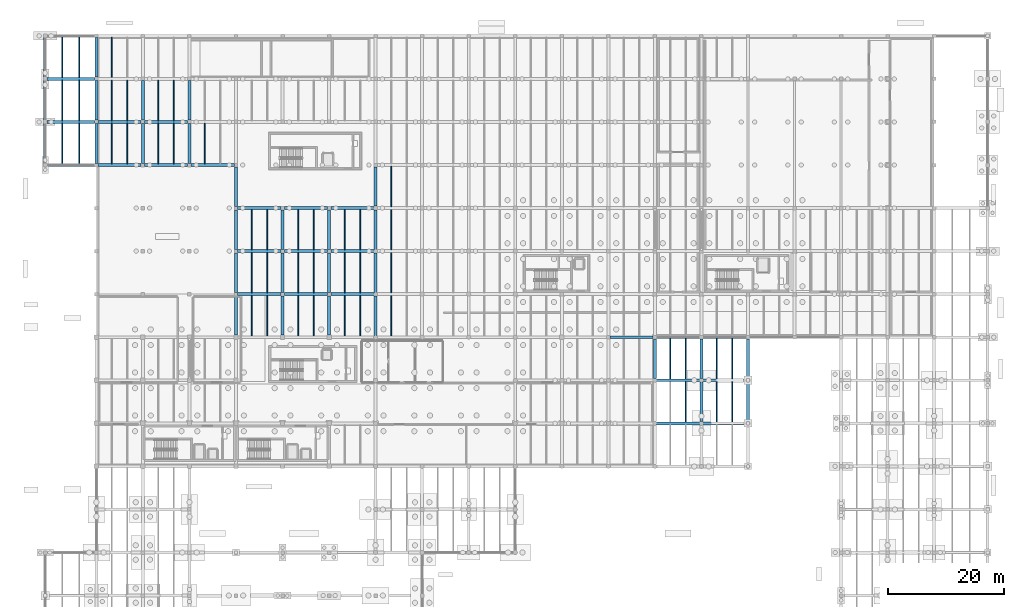
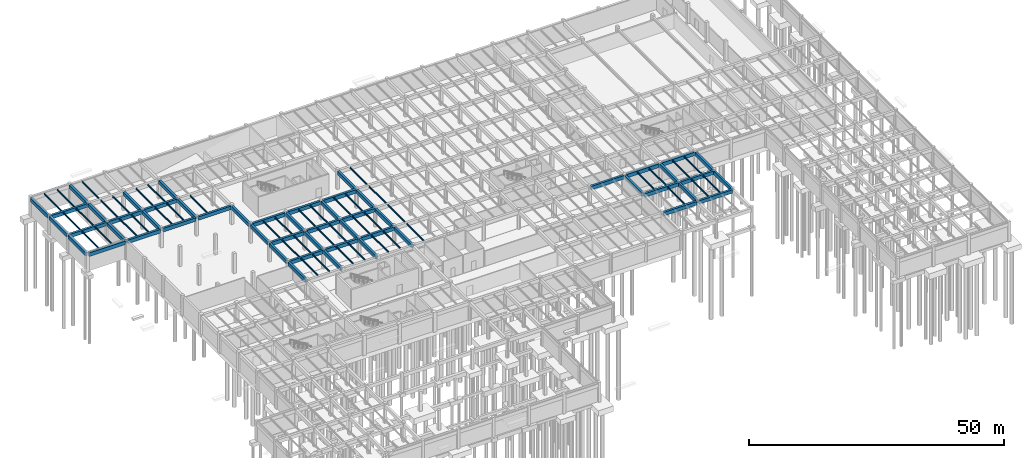
# One storey, part 11 of 40: 98 beams.
"""IFC4 building model written with IfcOpenShell, lengths in metres."""

from ifc_helpers import new_model, si_unit, direction, frame, origin, origin_2d, place, context, subcontext, project, spatial, rectangle, i_section, extrude, material, material_profile, profile_set, type_object, element, save


model = new_model("IFC4")

# Units and contexts
model_context = context("Model", 3, precision=1e-05, world=origin(), true_north=direction((0.0, 1.0)))
body_context = subcontext(model_context, "Body", "Model", "MODEL_VIEW")
ifc_project = project(units=[si_unit("LENGTHUNIT", "METRE"), si_unit("AREAUNIT", "SQUARE_METRE"), si_unit("VOLUMEUNIT", "CUBIC_METRE"), si_unit("PLANEANGLEUNIT", "RADIAN"), si_unit("MASSUNIT", "GRAM", prefix="KILO")], contexts=[model_context])

# Site, building, storey
site_placement = place(None, origin())
site = spatial("IfcSite", under=ifc_project, at=site_placement, CompositionType="ELEMENT")
building_placement = place(site_placement, origin())
building = spatial("IfcBuilding", under=site, at=building_placement, Name="Valkorina Park Police Headquarters", CompositionType="ELEMENT")
storey_placement = place(building_placement, frame((0.0, 0.0, -4.800048828125)))
storey = spatial("IfcBuildingStorey", under=building, at=storey_placement, Name="B01", CompositionType="ELEMENT", Elevation=-4.800048828125)

# Beams
ifc_material_1 = material(Name="Concrete C40/50", Category="concrete")
ifc_material_profile_1 = material_profile(ifc_material_1, rectangle(XDim=0.5, YDim=0.85009765625, at=origin_2d()), Name="RC BEAM 500x850")
ifc_profile_set_1 = profile_set([ifc_material_profile_1], Name="Concrete C40/50")
beam_type_1 = type_object("IfcBeamType", Name="BM-RC-500x850-EXT", PredefinedType="SPANDREL", material=ifc_profile_set_1)
beam_1_placement = place(storey_placement, frame((0.300048828125, 88.800048828125, 4.025146484375), z_axis=(1.0, 0.0, 0.0), x_axis=(0.0, 1.0, 0.0)))
element("IfcBeam", 1, at=beam_1_placement, inside=storey, type_object=beam_type_1, Name="B01 Framing Beam 0151", PredefinedType="SPANDREL", context=body_context, shape_type="SweptSolid", body=[
    extrude(rectangle(XDim=0.5, YDim=0.85009765625, at=origin_2d()), origin(), (0.0, 0.0, 1.0), 8.199951171875),
])
for number, where, z_axis, x_axis, name in (
    (2, (9.10009765625, 88.800048828125, 4.025146484375), (1.0, 0.0, 0.0), (0.0, 1.0, 0.0), "B01 Framing Beam 0152"),
    (3, (17.10009765625, 88.800048828125, 4.025146484375), (1.0, 0.0, 0.0), (0.0, 1.0, 0.0), "B01 Framing Beam 0153"),
    (4, (25.10009765625, 88.800048828125, 4.025146484375), (1.0, 0.0, 0.0), (0.0, 1.0, 0.0), "B01 Framing Beam 0154"),
):
    element("IfcBeam", number, at=place(storey_placement, frame(where, z_axis=z_axis, x_axis=x_axis)), inside=storey, type_object=beam_type_1, Name=name, PredefinedType="SPANDREL", context=body_context, shape_type="SweptSolid", body=[
        extrude(rectangle(XDim=0.5, YDim=0.85009765625, at=origin_2d()), origin(), (0.0, 0.0, 1.0), 7.39990234375),
    ])
beam_2_placement = place(storey_placement, frame((0.0, 89.10009765625, 4.025146484375), z_axis=(0.0, 1.0, 0.0), x_axis=(-1.0, 0.0, 0.0)))
element("IfcBeam", 5, at=beam_2_placement, inside=storey, type_object=beam_type_1, Name="B01 Framing Beam 0220", PredefinedType="SPANDREL", context=body_context, shape_type="SweptSolid", body=[
    extrude(rectangle(XDim=0.5, YDim=0.85009765625, at=origin_2d()), origin(), (0.0, 0.0, 1.0), 6.7998046875),
])
for number, where, z_axis, x_axis, name in (
    (6, (0.0, 96.5, 4.025146484375), (0.0, 1.0, 0.0), (-1.0, 0.0, 0.0), "B01 Framing Beam 0223"),
    (7, (0.0, 103.89990234375, 4.025146484375), (0.0, 1.0, 0.0), (-1.0, 0.0, 0.0), "B01 Framing Beam 0226"),
):
    element("IfcBeam", number, at=place(storey_placement, frame(where, z_axis=z_axis, x_axis=x_axis)), inside=storey, type_object=beam_type_1, Name=name, PredefinedType="SPANDREL", context=body_context, shape_type="SweptSolid", body=[
        extrude(rectangle(XDim=0.5, YDim=0.85009765625, at=origin_2d()), origin(), (0.0, 0.0, 1.0), 6.800048828125),
    ])
beam_3_placement = place(storey_placement, frame((32.800048828125, 59.574951171875, 4.074951171875), z_axis=(0.0, 1.0, 0.0), x_axis=(-1.0, 0.0, 0.0)))
element("IfcBeam", 8, at=beam_3_placement, inside=storey, type_object=beam_type_1, Name="B01 Framing Beam 0314", PredefinedType="SPANDREL", context=body_context, shape_type="SweptSolid", body=[
    extrude(rectangle(XDim=0.5, YDim=0.85009765625, at=origin_2d()), origin(), (0.0, 0.0, 1.0), 6.72509765625),
])
for number, where, z_axis, x_axis, name in (
    (9, (32.800048828125, 66.89990234375, 4.074951171875), (0.0, 1.0, 0.0), (-1.0, 0.0, 0.0), "B01 Framing Beam 0317"),
    (10, (32.800048828125, 74.300048828125, 4.074951171875), (0.0, 1.0, 0.0), (-1.0, 0.0, 0.0), "B01 Framing Beam 0320"),
    (11, (32.800048828125, 81.699951171875, 4.025146484375), (0.0, 1.0, 0.0), (-1.0, 0.0, 0.0), "B01 Framing Beam 0323"),
):
    element("IfcBeam", number, at=place(storey_placement, frame(where, z_axis=z_axis, x_axis=x_axis)), inside=storey, type_object=beam_type_1, Name=name, PredefinedType="SPANDREL", context=body_context, shape_type="SweptSolid", body=[
        extrude(rectangle(XDim=0.5, YDim=0.85009765625, at=origin_2d()), origin(), (0.0, 0.0, 1.0), 6.800048828125),
    ])
beam_4_placement = place(storey_placement, frame((120.800048828125, 44.71630859375, 4.025146484375), z_axis=(0.0, 1.0, 0.0), x_axis=(-1.0, 0.0, 0.0)))
element("IfcBeam", 12, at=beam_4_placement, inside=storey, type_object=beam_type_1, Name="B01 Framing Beam 0582", PredefinedType="SPANDREL", context=body_context, shape_type="SweptSolid", body=[
    extrude(rectangle(XDim=0.5, YDim=0.85009765625, at=origin_2d()), origin(), (0.0, 0.0, 1.0), 6.767578125),
])
beam_5_placement = place(storey_placement, frame((120.800048828125, 52.1162109375, 4.074951171875), z_axis=(0.0, 1.0, 0.0), x_axis=(-1.0, 0.0, 0.0)))
element("IfcBeam", 13, at=beam_5_placement, inside=storey, type_object=beam_type_1, Name="B01 Framing Beam 0583", PredefinedType="SPANDREL", context=body_context, shape_type="SweptSolid", body=[
    extrude(rectangle(XDim=0.5, YDim=0.85009765625, at=origin_2d()), origin(), (0.0, 0.0, 1.0), 6.78369140625),
])
ifc_material_profile_2 = material_profile(ifc_material_1, rectangle(XDim=0.5, YDim=0.85009765625, at=origin_2d()), Name="RC BEAM 500x850")
ifc_profile_set_2 = profile_set([ifc_material_profile_2], Name="Concrete C40/50")
beam_type_2 = type_object("IfcBeamType", Name="BM-RC-500x850-INT", PredefinedType="BEAM", material=ifc_profile_set_2)
for number, where, z_axis, x_axis, name in (
    (14, (105.044921875, 44.39990234375, 4.025146484375), (1.0, 0.0, 0.0), (0.0, 1.0, 0.0), "B01 Framing Beam 0068"),
    (15, (113.044921875, 44.39990234375, 4.025146484375), (1.0, 0.0, 0.0), (0.0, 1.0, 0.0), "B01 Framing Beam 0069"),
    (16, (105.044921875, 51.800048828125, 4.025146484375), (1.0, 0.0, 0.0), (0.0, 1.0, 0.0), "B01 Framing Beam 0079"),
    (17, (113.044921875, 51.800048828125, 4.025146484375), (1.0, 0.0, 0.0), (0.0, 1.0, 0.0), "B01 Framing Beam 0080"),
):
    element("IfcBeam", number, at=place(storey_placement, frame(where, z_axis=z_axis, x_axis=x_axis)), inside=storey, type_object=beam_type_2, Name=name, PredefinedType="BEAM", context=body_context, shape_type="SweptSolid", body=[
        extrude(rectangle(XDim=0.5, YDim=0.85009765625, at=origin_2d()), origin(), (0.0, 0.0, 1.0), 7.51025390625),
    ])
for number, where, z_axis, x_axis, name in (
    (18, (97.10009765625, 59.199951171875, 4.074951171875), (1.0, 0.0, 0.0), (0.0, 1.0, 0.0), "B01 Framing Beam 0095"),
    (19, (105.10009765625, 59.199951171875, 4.074951171875), (1.0, 0.0, 0.0), (0.0, 1.0, 0.0), "B01 Framing Beam 0096"),
    (20, (113.10009765625, 59.199951171875, 4.074951171875), (1.0, 0.0, 0.0), (0.0, 1.0, 0.0), "B01 Framing Beam 0097"),
    (21, (33.10009765625, 66.60009765625, 4.074951171875), (1.0, 0.0, 0.0), (0.0, 1.0, 0.0), "B01 Framing Beam 0103"),
    (22, (41.10009765625, 66.60009765625, 4.074951171875), (1.0, 0.0, 0.0), (0.0, 1.0, 0.0), "B01 Framing Beam 0104"),
):
    element("IfcBeam", number, at=place(storey_placement, frame(where, z_axis=z_axis, x_axis=x_axis)), inside=storey, type_object=beam_type_2, Name=name, PredefinedType="BEAM", context=body_context, shape_type="SweptSolid", body=[
        extrude(rectangle(XDim=0.5, YDim=0.85009765625, at=origin_2d()), origin(), (0.0, 0.0, 1.0), 7.39990234375),
    ])
beam_6_placement = place(storey_placement, frame((49.10009765625, 66.60009765625, 4.025146484375), z_axis=(1.0, 0.0, 0.0), x_axis=(0.0, 1.0, 0.0)))
element("IfcBeam", 23, at=beam_6_placement, inside=storey, type_object=beam_type_2, Name="B01 Framing Beam 0105", PredefinedType="BEAM", context=body_context, shape_type="SweptSolid", body=[
    extrude(rectangle(XDim=0.5, YDim=0.85009765625, at=origin_2d()), origin(), (0.0, 0.0, 1.0), 7.455078125),
])
for number, where, z_axis, x_axis, name in (
    (24, (33.10009765625, 74.0, 4.074951171875), (1.0, 0.0, 0.0), (0.0, 1.0, 0.0), "B01 Framing Beam 0119"),
    (25, (41.10009765625, 74.0, 4.074951171875), (1.0, 0.0, 0.0), (0.0, 1.0, 0.0), "B01 Framing Beam 0120"),
):
    element("IfcBeam", number, at=place(storey_placement, frame(where, z_axis=z_axis, x_axis=x_axis)), inside=storey, type_object=beam_type_2, Name=name, PredefinedType="BEAM", context=body_context, shape_type="SweptSolid", body=[
        extrude(rectangle(XDim=0.5, YDim=0.85009765625, at=origin_2d()), origin(), (0.0, 0.0, 1.0), 7.39990234375),
    ])
beam_7_placement = place(storey_placement, frame((49.10009765625, 74.0, 4.025146484375), z_axis=(1.0, 0.0, 0.0), x_axis=(0.0, 1.0, 0.0)))
element("IfcBeam", 26, at=beam_7_placement, inside=storey, type_object=beam_type_2, Name="B01 Framing Beam 0121", PredefinedType="BEAM", context=body_context, shape_type="SweptSolid", body=[
    extrude(rectangle(XDim=0.5, YDim=0.85009765625, at=origin_2d()), origin(), (0.0, 0.0, 1.0), 7.455078125),
])
for number, where, z_axis, x_axis, name in (
    (27, (33.10009765625, 81.39990234375, 4.074951171875), (1.0, 0.0, 0.0), (0.0, 1.0, 0.0), "B01 Framing Beam 0135"),
    (28, (41.10009765625, 81.39990234375, 4.074951171875), (1.0, 0.0, 0.0), (0.0, 1.0, 0.0), "B01 Framing Beam 0136"),
):
    element("IfcBeam", number, at=place(storey_placement, frame(where, z_axis=z_axis, x_axis=x_axis)), inside=storey, type_object=beam_type_2, Name=name, PredefinedType="BEAM", context=body_context, shape_type="SweptSolid", body=[
        extrude(rectangle(XDim=0.5, YDim=0.85009765625, at=origin_2d()), origin(), (0.0, 0.0, 1.0), 7.39990234375),
    ])
beam_8_placement = place(storey_placement, frame((49.10009765625, 81.39990234375, 4.025146484375), z_axis=(1.0, 0.0, 0.0), x_axis=(0.0, 1.0, 0.0)))
element("IfcBeam", 29, at=beam_8_placement, inside=storey, type_object=beam_type_2, Name="B01 Framing Beam 0137", PredefinedType="BEAM", context=body_context, shape_type="SweptSolid", body=[
    extrude(rectangle(XDim=0.5, YDim=0.85009765625, at=origin_2d()), origin(), (0.0, 0.0, 1.0), 7.455078125),
])
beam_9_placement = place(storey_placement, frame((0.300048828125, 96.199951171875, 4.025146484375), z_axis=(1.0, 0.0, 0.0), x_axis=(0.0, 1.0, 0.0)))
element("IfcBeam", 30, at=beam_9_placement, inside=storey, type_object=beam_type_2, Name="B01 Framing Beam 0162", PredefinedType="BEAM", context=body_context, shape_type="SweptSolid", body=[
    extrude(rectangle(XDim=0.5, YDim=0.85009765625, at=origin_2d()), origin(), (0.0, 0.0, 1.0), 8.199951171875),
])
for number, where, z_axis, x_axis, name in (
    (31, (9.10009765625, 96.199951171875, 4.025146484375), (1.0, 0.0, 0.0), (0.0, 1.0, 0.0), "B01 Framing Beam 0163"),
    (32, (17.10009765625, 96.199951171875, 4.025146484375), (1.0, 0.0, 0.0), (0.0, 1.0, 0.0), "B01 Framing Beam 0164"),
):
    element("IfcBeam", number, at=place(storey_placement, frame(where, z_axis=z_axis, x_axis=x_axis)), inside=storey, type_object=beam_type_2, Name=name, PredefinedType="BEAM", context=body_context, shape_type="SweptSolid", body=[
        extrude(rectangle(XDim=0.5, YDim=0.85009765625, at=origin_2d()), origin(), (0.0, 0.0, 1.0), 7.39990234375),
    ])
beam_10_placement = place(storey_placement, frame((0.300048828125, 103.60009765625, 4.025146484375), z_axis=(1.0, 0.0, 0.0), x_axis=(0.0, 1.0, 0.0)))
element("IfcBeam", 33, at=beam_10_placement, inside=storey, type_object=beam_type_2, Name="B01 Framing Beam 0176", PredefinedType="BEAM", context=body_context, shape_type="SweptSolid", body=[
    extrude(rectangle(XDim=0.5, YDim=0.85009765625, at=origin_2d()), origin(), (0.0, 0.0, 1.0), 8.199951171875),
])
beam_11_placement = place(storey_placement, frame((8.800048828125, 89.10009765625, 4.025146484375), z_axis=(0.0, 1.0, 0.0), x_axis=(-1.0, 0.0, 0.0)))
element("IfcBeam", 34, at=beam_11_placement, inside=storey, type_object=beam_type_2, Name="B01 Framing Beam 0253", PredefinedType="BEAM", context=body_context, shape_type="SweptSolid", body=[
    extrude(rectangle(XDim=0.5, YDim=0.85009765625, at=origin_2d()), origin(), (0.0, 0.0, 1.0), 6.7998046875),
])
for number, where, z_axis, x_axis, name in (
    (35, (8.800048828125, 96.5, 4.025146484375), (0.0, 1.0, 0.0), (-1.0, 0.0, 0.0), "B01 Framing Beam 0256"),
    (36, (8.800048828125, 103.89990234375, 4.025146484375), (0.0, 1.0, 0.0), (-1.0, 0.0, 0.0), "B01 Framing Beam 0259"),
):
    element("IfcBeam", number, at=place(storey_placement, frame(where, z_axis=z_axis, x_axis=x_axis)), inside=storey, type_object=beam_type_2, Name=name, PredefinedType="BEAM", context=body_context, shape_type="SweptSolid", body=[
        extrude(rectangle(XDim=0.5, YDim=0.85009765625, at=origin_2d()), origin(), (0.0, 0.0, 1.0), 6.800048828125),
    ])
beam_12_placement = place(storey_placement, frame((16.800048828125, 89.10009765625, 4.025146484375), z_axis=(0.0, 1.0, 0.0), x_axis=(-1.0, 0.0, 0.0)))
element("IfcBeam", 37, at=beam_12_placement, inside=storey, type_object=beam_type_2, Name="B01 Framing Beam 0284", PredefinedType="BEAM", context=body_context, shape_type="SweptSolid", body=[
    extrude(rectangle(XDim=0.5, YDim=0.85009765625, at=origin_2d()), origin(), (0.0, 0.0, 1.0), 6.7998046875),
])
beam_13_placement = place(storey_placement, frame((16.800048828125, 96.5, 4.025146484375), z_axis=(0.0, 1.0, 0.0), x_axis=(-1.0, 0.0, 0.0)))
element("IfcBeam", 38, at=beam_13_placement, inside=storey, type_object=beam_type_2, Name="B01 Framing Beam 0287", PredefinedType="BEAM", context=body_context, shape_type="SweptSolid", body=[
    extrude(rectangle(XDim=0.5, YDim=0.85009765625, at=origin_2d()), origin(), (0.0, 0.0, 1.0), 6.800048828125),
])
beam_14_placement = place(storey_placement, frame((24.800048828125, 89.10009765625, 4.025146484375), z_axis=(0.0, 1.0, 0.0), x_axis=(-1.0, 0.0, 0.0)))
element("IfcBeam", 39, at=beam_14_placement, inside=storey, type_object=beam_type_2, Name="B01 Framing Beam 0304", PredefinedType="BEAM", context=body_context, shape_type="SweptSolid", body=[
    extrude(rectangle(XDim=0.5, YDim=0.85009765625, at=origin_2d()), origin(), (0.0, 0.0, 1.0), 6.7998046875),
])
beam_15_placement = place(storey_placement, frame((24.800048828125, 96.5, 4.025146484375), z_axis=(0.0, 1.0, 0.0), x_axis=(-1.0, 0.0, 0.0)))
element("IfcBeam", 40, at=beam_15_placement, inside=storey, type_object=beam_type_2, Name="B01 Framing Beam 0307", PredefinedType="BEAM", context=body_context, shape_type="SweptSolid", body=[
    extrude(rectangle(XDim=0.5, YDim=0.85009765625, at=origin_2d()), origin(), (0.0, 0.0, 1.0), 6.800048828125),
])
beam_16_placement = place(storey_placement, frame((40.800048828125, 59.574951171875, 4.074951171875), z_axis=(0.0, 1.0, 0.0), x_axis=(-1.0, 0.0, 0.0)))
element("IfcBeam", 41, at=beam_16_placement, inside=storey, type_object=beam_type_2, Name="B01 Framing Beam 0328", PredefinedType="BEAM", context=body_context, shape_type="SweptSolid", body=[
    extrude(rectangle(XDim=0.5, YDim=0.85009765625, at=origin_2d()), origin(), (0.0, 0.0, 1.0), 6.72509765625),
])
for number, where, z_axis, x_axis, name in (
    (42, (40.800048828125, 66.89990234375, 4.074951171875), (0.0, 1.0, 0.0), (-1.0, 0.0, 0.0), "B01 Framing Beam 0331"),
    (43, (40.800048828125, 74.300048828125, 4.074951171875), (0.0, 1.0, 0.0), (-1.0, 0.0, 0.0), "B01 Framing Beam 0334"),
):
    element("IfcBeam", number, at=place(storey_placement, frame(where, z_axis=z_axis, x_axis=x_axis)), inside=storey, type_object=beam_type_2, Name=name, PredefinedType="BEAM", context=body_context, shape_type="SweptSolid", body=[
        extrude(rectangle(XDim=0.5, YDim=0.85009765625, at=origin_2d()), origin(), (0.0, 0.0, 1.0), 6.800048828125),
    ])
beam_17_placement = place(storey_placement, frame((48.800048828125, 59.574951171875, 4.074951171875), z_axis=(0.0, 1.0, 0.0), x_axis=(-1.0, 0.0, 0.0)))
element("IfcBeam", 44, at=beam_17_placement, inside=storey, type_object=beam_type_2, Name="B01 Framing Beam 0343", PredefinedType="BEAM", context=body_context, shape_type="SweptSolid", body=[
    extrude(rectangle(XDim=0.5, YDim=0.85009765625, at=origin_2d()), origin(), (0.0, 0.0, 1.0), 6.72509765625),
])
for number, where, z_axis, x_axis, name in (
    (45, (48.800048828125, 66.89990234375, 4.074951171875), (0.0, 1.0, 0.0), (-1.0, 0.0, 0.0), "B01 Framing Beam 0346"),
    (46, (48.800048828125, 74.300048828125, 4.074951171875), (0.0, 1.0, 0.0), (-1.0, 0.0, 0.0), "B01 Framing Beam 0349"),
):
    element("IfcBeam", number, at=place(storey_placement, frame(where, z_axis=z_axis, x_axis=x_axis)), inside=storey, type_object=beam_type_2, Name=name, PredefinedType="BEAM", context=body_context, shape_type="SweptSolid", body=[
        extrude(rectangle(XDim=0.5, YDim=0.85009765625, at=origin_2d()), origin(), (0.0, 0.0, 1.0), 6.800048828125),
    ])
for number, where, z_axis, x_axis, name in (
    (47, (56.800048828125, 59.51611328125, 4.025146484375), (0.0, 1.0, 0.0), (-1.0, 0.0, 0.0), "B01 Framing Beam 0364"),
    (48, (56.800048828125, 66.916259765625, 4.025146484375), (0.0, 1.0, 0.0), (-1.0, 0.0, 0.0), "B01 Framing Beam 0367"),
    (49, (56.800048828125, 74.316162109375, 4.025146484375), (0.0, 1.0, 0.0), (-1.0, 0.0, 0.0), "B01 Framing Beam 0370"),
):
    element("IfcBeam", number, at=place(storey_placement, frame(where, z_axis=z_axis, x_axis=x_axis)), inside=storey, type_object=beam_type_2, Name=name, PredefinedType="BEAM", context=body_context, shape_type="SweptSolid", body=[
        extrude(rectangle(XDim=0.5, YDim=0.85009765625, at=origin_2d()), origin(), (0.0, 0.0, 1.0), 6.767578125),
    ])
for number, where, z_axis, x_axis, name in (
    (50, (56.800048828125, 81.71630859375, 4.025146484375), (0.0, 1.0, 0.0), (-1.0, 0.0, 0.0), "B01 Framing Beam 0373"),
    (51, (104.800048828125, 52.1162109375, 4.074951171875), (0.0, 1.0, 0.0), (-1.0, 0.0, 0.0), "B01 Framing Beam 0535"),
):
    element("IfcBeam", number, at=place(storey_placement, frame(where, z_axis=z_axis, x_axis=x_axis)), inside=storey, type_object=beam_type_2, Name=name, PredefinedType="BEAM", context=body_context, shape_type="SweptSolid", body=[
        extrude(rectangle(XDim=0.5, YDim=0.85009765625, at=origin_2d()), origin(), (0.0, 0.0, 1.0), 6.78369140625),
    ])
beam_18_placement = place(storey_placement, frame((112.800048828125, 44.71630859375, 4.025146484375), z_axis=(0.0, 1.0, 0.0), x_axis=(-1.0, 0.0, 0.0)))
element("IfcBeam", 52, at=beam_18_placement, inside=storey, type_object=beam_type_2, Name="B01 Framing Beam 0562", PredefinedType="BEAM", context=body_context, shape_type="SweptSolid", body=[
    extrude(rectangle(XDim=0.5, YDim=0.85009765625, at=origin_2d()), origin(), (0.0, 0.0, 1.0), 6.767578125),
])
beam_19_placement = place(storey_placement, frame((112.800048828125, 52.1162109375, 4.074951171875), z_axis=(0.0, 1.0, 0.0), x_axis=(-1.0, 0.0, 0.0)))
element("IfcBeam", 53, at=beam_19_placement, inside=storey, type_object=beam_type_2, Name="B01 Framing Beam 0565", PredefinedType="BEAM", context=body_context, shape_type="SweptSolid", body=[
    extrude(rectangle(XDim=0.5, YDim=0.85009765625, at=origin_2d()), origin(), (0.0, 0.0, 1.0), 6.78369140625),
])
ifc_material_2 = material(Name="Steel S355", Category="steel")
ifc_material_profile_3 = material_profile(ifc_material_2, i_section(OverallWidth=0.169921875, OverallDepth=0.360107421875, WebThickness=0.008056640625, FlangeThickness=0.0126953125, FilletRadius=0.01806640625, at=origin_2d()), Name="IPE 360")
ifc_profile_set_3 = profile_set([ifc_material_profile_3], Name="Steel S355")
beam_type_3 = type_object("IfcBeamType", Name="BM-S355-IPE360-JST", PredefinedType="JOIST", material=ifc_profile_set_3)
for number, where, z_axis, x_axis, name in (
    (54, (2.933349609375, 89.050048828125, 4.27001953125), (0.0, 1.0, 0.0), (-1.0, 0.0, 0.0), "B01 Framing Beam 0221"),
    (55, (5.86669921875, 89.050048828125, 4.27001953125), (0.0, 1.0, 0.0), (-1.0, 0.0, 0.0), "B01 Framing Beam 0222"),
):
    element("IfcBeam", number, at=place(storey_placement, frame(where, z_axis=z_axis, x_axis=x_axis)), inside=storey, type_object=beam_type_3, Name=name, PredefinedType="JOIST", context=body_context, shape_type="SweptSolid", body=[
        extrude(i_section(OverallWidth=0.169921875, OverallDepth=0.360107421875, WebThickness=0.008056640625, FlangeThickness=0.0126953125, FilletRadius=0.01806640625, at=origin_2d()), origin(), (0.0, 0.0, 1.0), 6.89990234375),
    ])
for number, where, z_axis, x_axis, name in (
    (56, (2.933349609375, 96.449951171875, 4.27001953125), (0.0, 1.0, 0.0), (-1.0, 0.0, 0.0), "B01 Framing Beam 0224"),
    (57, (5.86669921875, 96.449951171875, 4.27001953125), (0.0, 1.0, 0.0), (-1.0, 0.0, 0.0), "B01 Framing Beam 0225"),
):
    element("IfcBeam", number, at=place(storey_placement, frame(where, z_axis=z_axis, x_axis=x_axis)), inside=storey, type_object=beam_type_3, Name=name, PredefinedType="JOIST", context=body_context, shape_type="SweptSolid", body=[
        extrude(i_section(OverallWidth=0.169921875, OverallDepth=0.360107421875, WebThickness=0.008056640625, FlangeThickness=0.0126953125, FilletRadius=0.01806640625, at=origin_2d()), origin(), (0.0, 0.0, 1.0), 6.900146484375),
    ])
for number, where, z_axis, x_axis, name in (
    (58, (2.933349609375, 103.85009765625, 4.27001953125), (0.0, 1.0, 0.0), (-1.0, 0.0, 0.0), "B01 Framing Beam 0227"),
    (59, (5.86669921875, 103.85009765625, 4.27001953125), (0.0, 1.0, 0.0), (-1.0, 0.0, 0.0), "B01 Framing Beam 0228"),
    (60, (11.466796875, 89.050048828125, 4.27001953125), (0.0, 1.0, 0.0), (-1.0, 0.0, 0.0), "B01 Framing Beam 0254"),
    (61, (14.13330078125, 89.050048828125, 4.27001953125), (0.0, 1.0, 0.0), (-1.0, 0.0, 0.0), "B01 Framing Beam 0255"),
):
    element("IfcBeam", number, at=place(storey_placement, frame(where, z_axis=z_axis, x_axis=x_axis)), inside=storey, type_object=beam_type_3, Name=name, PredefinedType="JOIST", context=body_context, shape_type="SweptSolid", body=[
        extrude(i_section(OverallWidth=0.169921875, OverallDepth=0.360107421875, WebThickness=0.008056640625, FlangeThickness=0.0126953125, FilletRadius=0.01806640625, at=origin_2d()), origin(), (0.0, 0.0, 1.0), 6.89990234375),
    ])
for number, where, z_axis, x_axis, name in (
    (62, (11.466796875, 96.449951171875, 4.27001953125), (0.0, 1.0, 0.0), (-1.0, 0.0, 0.0), "B01 Framing Beam 0257"),
    (63, (14.13330078125, 96.449951171875, 4.27001953125), (0.0, 1.0, 0.0), (-1.0, 0.0, 0.0), "B01 Framing Beam 0258"),
):
    element("IfcBeam", number, at=place(storey_placement, frame(where, z_axis=z_axis, x_axis=x_axis)), inside=storey, type_object=beam_type_3, Name=name, PredefinedType="JOIST", context=body_context, shape_type="SweptSolid", body=[
        extrude(i_section(OverallWidth=0.169921875, OverallDepth=0.360107421875, WebThickness=0.008056640625, FlangeThickness=0.0126953125, FilletRadius=0.01806640625, at=origin_2d()), origin(), (0.0, 0.0, 1.0), 6.900146484375),
    ])
for number, where, z_axis, x_axis, name in (
    (64, (11.466796875, 103.85009765625, 4.27001953125), (0.0, 1.0, 0.0), (-1.0, 0.0, 0.0), "B01 Framing Beam 0260"),
    (65, (19.466796875, 89.050048828125, 4.27001953125), (0.0, 1.0, 0.0), (-1.0, 0.0, 0.0), "B01 Framing Beam 0285"),
    (66, (22.13330078125, 89.050048828125, 4.27001953125), (0.0, 1.0, 0.0), (-1.0, 0.0, 0.0), "B01 Framing Beam 0286"),
):
    element("IfcBeam", number, at=place(storey_placement, frame(where, z_axis=z_axis, x_axis=x_axis)), inside=storey, type_object=beam_type_3, Name=name, PredefinedType="JOIST", context=body_context, shape_type="SweptSolid", body=[
        extrude(i_section(OverallWidth=0.169921875, OverallDepth=0.360107421875, WebThickness=0.008056640625, FlangeThickness=0.0126953125, FilletRadius=0.01806640625, at=origin_2d()), origin(), (0.0, 0.0, 1.0), 6.89990234375),
    ])
for number, where, z_axis, x_axis, name in (
    (67, (19.466796875, 96.449951171875, 4.27001953125), (0.0, 1.0, 0.0), (-1.0, 0.0, 0.0), "B01 Framing Beam 0288"),
    (68, (22.13330078125, 96.449951171875, 4.27001953125), (0.0, 1.0, 0.0), (-1.0, 0.0, 0.0), "B01 Framing Beam 0289"),
):
    element("IfcBeam", number, at=place(storey_placement, frame(where, z_axis=z_axis, x_axis=x_axis)), inside=storey, type_object=beam_type_3, Name=name, PredefinedType="JOIST", context=body_context, shape_type="SweptSolid", body=[
        extrude(i_section(OverallWidth=0.169921875, OverallDepth=0.360107421875, WebThickness=0.008056640625, FlangeThickness=0.0126953125, FilletRadius=0.01806640625, at=origin_2d()), origin(), (0.0, 0.0, 1.0), 6.900146484375),
    ])
beam_20_placement = place(storey_placement, frame((27.466796875, 89.050048828125, 4.27001953125), z_axis=(0.0, 1.0, 0.0), x_axis=(-1.0, 0.0, 0.0)))
element("IfcBeam", 69, at=beam_20_placement, inside=storey, type_object=beam_type_3, Name="B01 Framing Beam 0305", PredefinedType="JOIST", context=body_context, shape_type="SweptSolid", body=[
    extrude(i_section(OverallWidth=0.169921875, OverallDepth=0.360107421875, WebThickness=0.008056640625, FlangeThickness=0.0126953125, FilletRadius=0.01806640625, at=origin_2d()), origin(), (0.0, 0.0, 1.0), 6.89990234375),
])
for number, where, z_axis, x_axis, name in (
    (70, (35.466796875, 59.449951171875, 4.320068359375), (0.0, 1.0, 0.0), (-1.0, 0.0, 0.0), "B01 Framing Beam 0315"),
    (71, (38.13330078125, 59.449951171875, 4.320068359375), (0.0, 1.0, 0.0), (-1.0, 0.0, 0.0), "B01 Framing Beam 0316"),
):
    element("IfcBeam", number, at=place(storey_placement, frame(where, z_axis=z_axis, x_axis=x_axis)), inside=storey, type_object=beam_type_3, Name=name, PredefinedType="JOIST", context=body_context, shape_type="SweptSolid", body=[
        extrude(i_section(OverallWidth=0.169921875, OverallDepth=0.360107421875, WebThickness=0.008056640625, FlangeThickness=0.0126953125, FilletRadius=0.01806640625, at=origin_2d()), origin(), (0.0, 0.0, 1.0), 6.900146484375),
    ])
for number, where, z_axis, x_axis, name in (
    (72, (35.466796875, 66.85009765625, 4.320068359375), (0.0, 1.0, 0.0), (-1.0, 0.0, 0.0), "B01 Framing Beam 0318"),
    (73, (38.13330078125, 66.85009765625, 4.320068359375), (0.0, 1.0, 0.0), (-1.0, 0.0, 0.0), "B01 Framing Beam 0319"),
    (74, (35.466796875, 74.25, 4.320068359375), (0.0, 1.0, 0.0), (-1.0, 0.0, 0.0), "B01 Framing Beam 0321"),
    (75, (38.13330078125, 74.25, 4.320068359375), (0.0, 1.0, 0.0), (-1.0, 0.0, 0.0), "B01 Framing Beam 0322"),
):
    element("IfcBeam", number, at=place(storey_placement, frame(where, z_axis=z_axis, x_axis=x_axis)), inside=storey, type_object=beam_type_3, Name=name, PredefinedType="JOIST", context=body_context, shape_type="SweptSolid", body=[
        extrude(i_section(OverallWidth=0.169921875, OverallDepth=0.360107421875, WebThickness=0.008056640625, FlangeThickness=0.0126953125, FilletRadius=0.01806640625, at=origin_2d()), origin(), (0.0, 0.0, 1.0), 6.89990234375),
    ])
for number, where, z_axis, x_axis, name in (
    (76, (43.466796875, 59.449951171875, 4.320068359375), (0.0, 1.0, 0.0), (-1.0, 0.0, 0.0), "B01 Framing Beam 0329"),
    (77, (46.13330078125, 59.449951171875, 4.320068359375), (0.0, 1.0, 0.0), (-1.0, 0.0, 0.0), "B01 Framing Beam 0330"),
):
    element("IfcBeam", number, at=place(storey_placement, frame(where, z_axis=z_axis, x_axis=x_axis)), inside=storey, type_object=beam_type_3, Name=name, PredefinedType="JOIST", context=body_context, shape_type="SweptSolid", body=[
        extrude(i_section(OverallWidth=0.169921875, OverallDepth=0.360107421875, WebThickness=0.008056640625, FlangeThickness=0.0126953125, FilletRadius=0.01806640625, at=origin_2d()), origin(), (0.0, 0.0, 1.0), 6.900146484375),
    ])
for number, where, z_axis, x_axis, name in (
    (78, (43.466796875, 66.85009765625, 4.320068359375), (0.0, 1.0, 0.0), (-1.0, 0.0, 0.0), "B01 Framing Beam 0332"),
    (79, (46.13330078125, 66.85009765625, 4.320068359375), (0.0, 1.0, 0.0), (-1.0, 0.0, 0.0), "B01 Framing Beam 0333"),
    (80, (43.466796875, 74.25, 4.320068359375), (0.0, 1.0, 0.0), (-1.0, 0.0, 0.0), "B01 Framing Beam 0335"),
    (81, (46.13330078125, 74.25, 4.320068359375), (0.0, 1.0, 0.0), (-1.0, 0.0, 0.0), "B01 Framing Beam 0336"),
):
    element("IfcBeam", number, at=place(storey_placement, frame(where, z_axis=z_axis, x_axis=x_axis)), inside=storey, type_object=beam_type_3, Name=name, PredefinedType="JOIST", context=body_context, shape_type="SweptSolid", body=[
        extrude(i_section(OverallWidth=0.169921875, OverallDepth=0.360107421875, WebThickness=0.008056640625, FlangeThickness=0.0126953125, FilletRadius=0.01806640625, at=origin_2d()), origin(), (0.0, 0.0, 1.0), 6.89990234375),
    ])
for number, where, z_axis, x_axis, name in (
    (82, (51.466796875, 59.449951171875, 4.320068359375), (0.0, 1.0, 0.0), (-1.0, 0.0, 0.0), "B01 Framing Beam 0344"),
    (83, (54.13330078125, 59.449951171875, 4.320068359375), (0.0, 1.0, 0.0), (-1.0, 0.0, 0.0), "B01 Framing Beam 0345"),
):
    element("IfcBeam", number, at=place(storey_placement, frame(where, z_axis=z_axis, x_axis=x_axis)), inside=storey, type_object=beam_type_3, Name=name, PredefinedType="JOIST", context=body_context, shape_type="SweptSolid", body=[
        extrude(i_section(OverallWidth=0.169921875, OverallDepth=0.360107421875, WebThickness=0.008056640625, FlangeThickness=0.0126953125, FilletRadius=0.01806640625, at=origin_2d()), origin(), (0.0, 0.0, 1.0), 6.900146484375),
    ])
for number, where, z_axis, x_axis, name in (
    (84, (51.466796875, 66.85009765625, 4.320068359375), (0.0, 1.0, 0.0), (-1.0, 0.0, 0.0), "B01 Framing Beam 0347"),
    (85, (54.13330078125, 66.85009765625, 4.320068359375), (0.0, 1.0, 0.0), (-1.0, 0.0, 0.0), "B01 Framing Beam 0348"),
    (86, (51.466796875, 74.25, 4.320068359375), (0.0, 1.0, 0.0), (-1.0, 0.0, 0.0), "B01 Framing Beam 0350"),
    (87, (54.13330078125, 74.25, 4.320068359375), (0.0, 1.0, 0.0), (-1.0, 0.0, 0.0), "B01 Framing Beam 0351"),
):
    element("IfcBeam", number, at=place(storey_placement, frame(where, z_axis=z_axis, x_axis=x_axis)), inside=storey, type_object=beam_type_3, Name=name, PredefinedType="JOIST", context=body_context, shape_type="SweptSolid", body=[
        extrude(i_section(OverallWidth=0.169921875, OverallDepth=0.360107421875, WebThickness=0.008056640625, FlangeThickness=0.0126953125, FilletRadius=0.01806640625, at=origin_2d()), origin(), (0.0, 0.0, 1.0), 6.89990234375),
    ])
beam_21_placement = place(storey_placement, frame((59.466796875, 59.449951171875, 4.27001953125), z_axis=(0.0, 1.0, 0.0), x_axis=(-1.0, 0.0, 0.0)))
element("IfcBeam", 88, at=beam_21_placement, inside=storey, type_object=beam_type_3, Name="B01 Framing Beam 0365", PredefinedType="JOIST", context=body_context, shape_type="SweptSolid", body=[
    extrude(i_section(OverallWidth=0.169921875, OverallDepth=0.360107421875, WebThickness=0.008056640625, FlangeThickness=0.0126953125, FilletRadius=0.01806640625, at=origin_2d()), origin(), (0.0, 0.0, 1.0), 6.900146484375),
])
for number, where, z_axis, x_axis, name in (
    (89, (59.466796875, 66.85009765625, 4.27001953125), (0.0, 1.0, 0.0), (-1.0, 0.0, 0.0), "B01 Framing Beam 0368"),
    (90, (59.466796875, 74.25, 4.27001953125), (0.0, 1.0, 0.0), (-1.0, 0.0, 0.0), "B01 Framing Beam 0371"),
):
    element("IfcBeam", number, at=place(storey_placement, frame(where, z_axis=z_axis, x_axis=x_axis)), inside=storey, type_object=beam_type_3, Name=name, PredefinedType="JOIST", context=body_context, shape_type="SweptSolid", body=[
        extrude(i_section(OverallWidth=0.169921875, OverallDepth=0.360107421875, WebThickness=0.008056640625, FlangeThickness=0.0126953125, FilletRadius=0.01806640625, at=origin_2d()), origin(), (0.0, 0.0, 1.0), 6.89990234375),
    ])
for number, where, z_axis, x_axis, name in (
    (91, (59.466796875, 81.64990234375, 4.27001953125), (0.0, 1.0, 0.0), (-1.0, 0.0, 0.0), "B01 Framing Beam 0374"),
    (92, (110.13330078125, 44.64990234375, 4.27001953125), (0.0, 1.0, 0.0), (-1.0, 0.0, 0.0), "B01 Framing Beam 0534"),
):
    element("IfcBeam", number, at=place(storey_placement, frame(where, z_axis=z_axis, x_axis=x_axis)), inside=storey, type_object=beam_type_3, Name=name, PredefinedType="JOIST", context=body_context, shape_type="SweptSolid", body=[
        extrude(i_section(OverallWidth=0.169921875, OverallDepth=0.360107421875, WebThickness=0.008056640625, FlangeThickness=0.0126953125, FilletRadius=0.01806640625, at=origin_2d()), origin(), (0.0, 0.0, 1.0), 6.900146484375),
    ])
for number, where, z_axis, x_axis, name in (
    (93, (107.466796875, 52.050048828125, 4.320068359375), (0.0, 1.0, 0.0), (-1.0, 0.0, 0.0), "B01 Framing Beam 0536"),
    (94, (110.13330078125, 52.050048828125, 4.320068359375), (0.0, 1.0, 0.0), (-1.0, 0.0, 0.0), "B01 Framing Beam 0537"),
):
    element("IfcBeam", number, at=place(storey_placement, frame(where, z_axis=z_axis, x_axis=x_axis)), inside=storey, type_object=beam_type_3, Name=name, PredefinedType="JOIST", context=body_context, shape_type="SweptSolid", body=[
        extrude(i_section(OverallWidth=0.169921875, OverallDepth=0.360107421875, WebThickness=0.008056640625, FlangeThickness=0.0126953125, FilletRadius=0.01806640625, at=origin_2d()), origin(), (0.0, 0.0, 1.0), 6.89990234375),
    ])
for number, where, z_axis, x_axis, name in (
    (95, (115.466796875, 44.64990234375, 4.27001953125), (0.0, 1.0, 0.0), (-1.0, 0.0, 0.0), "B01 Framing Beam 0563"),
    (96, (118.13330078125, 44.64990234375, 4.27001953125), (0.0, 1.0, 0.0), (-1.0, 0.0, 0.0), "B01 Framing Beam 0564"),
):
    element("IfcBeam", number, at=place(storey_placement, frame(where, z_axis=z_axis, x_axis=x_axis)), inside=storey, type_object=beam_type_3, Name=name, PredefinedType="JOIST", context=body_context, shape_type="SweptSolid", body=[
        extrude(i_section(OverallWidth=0.169921875, OverallDepth=0.360107421875, WebThickness=0.008056640625, FlangeThickness=0.0126953125, FilletRadius=0.01806640625, at=origin_2d()), origin(), (0.0, 0.0, 1.0), 6.900146484375),
    ])
for number, where, z_axis, x_axis, name in (
    (97, (115.466796875, 52.050048828125, 4.320068359375), (0.0, 1.0, 0.0), (-1.0, 0.0, 0.0), "B01 Framing Beam 0566"),
    (98, (118.13330078125, 52.050048828125, 4.320068359375), (0.0, 1.0, 0.0), (-1.0, 0.0, 0.0), "B01 Framing Beam 0567"),
):
    element("IfcBeam", number, at=place(storey_placement, frame(where, z_axis=z_axis, x_axis=x_axis)), inside=storey, type_object=beam_type_3, Name=name, PredefinedType="JOIST", context=body_context, shape_type="SweptSolid", body=[
        extrude(i_section(OverallWidth=0.169921875, OverallDepth=0.360107421875, WebThickness=0.008056640625, FlangeThickness=0.0126953125, FilletRadius=0.01806640625, at=origin_2d()), origin(), (0.0, 0.0, 1.0), 6.89990234375),
    ])

save(model, "model.ifc")
